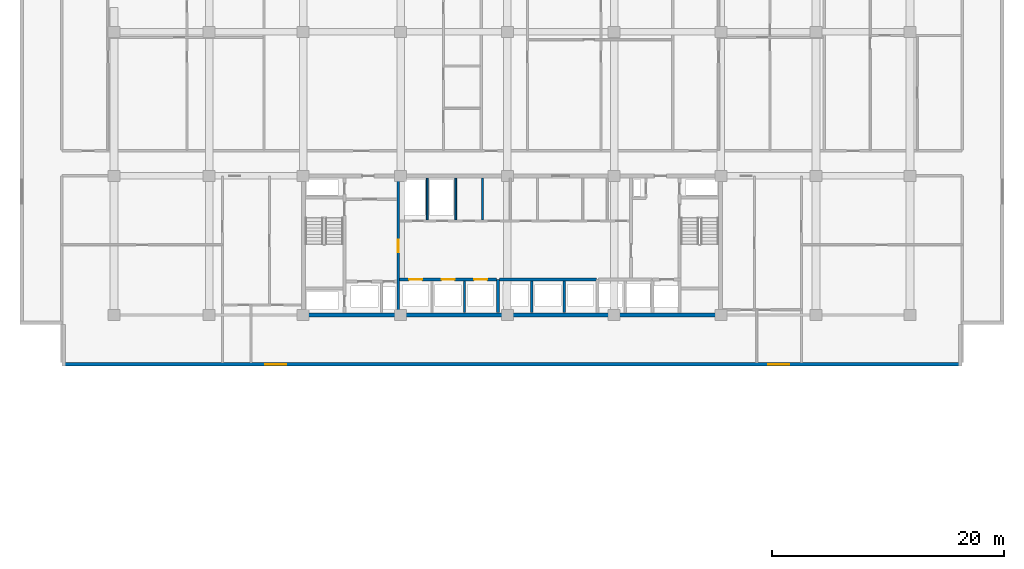
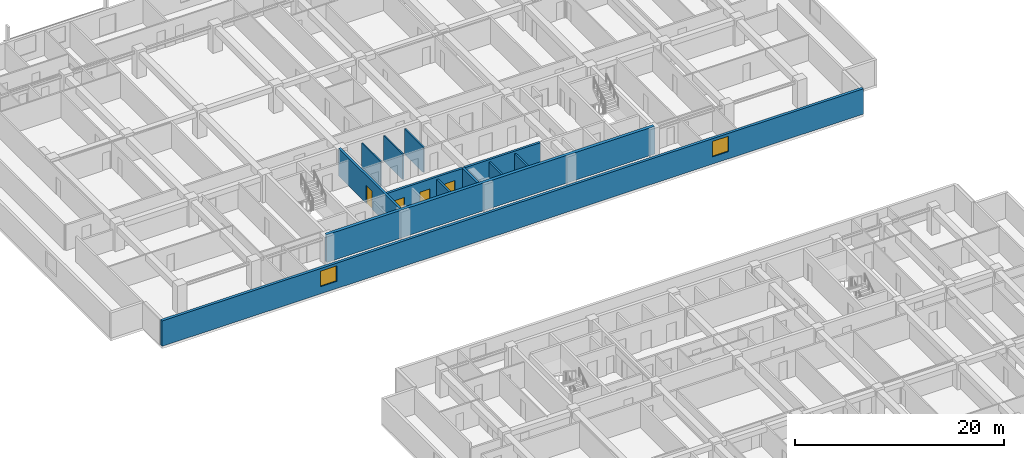
# One storey, part 11 of 23: 12 walls, 4 doors, 2 windows, 6 openings.
"""IFC4 building model written with IfcOpenShell, lengths in metres."""

from ifc_helpers import new_model, si_unit, direction, frame, frame_2d, origin, place, context, subcontext, project, spatial, rectangle, extrude, material, layer, layer_set, type_object, element, fill, save


model = new_model("IFC4")

# Units and contexts
model_context = context("Model", 3, precision=1e-05, world=origin(), true_north=direction((0.0, 1.0)))
body_context = subcontext(model_context, "Body", "Model", "MODEL_VIEW")
ifc_project = project(units=[si_unit("LENGTHUNIT", "METRE"), si_unit("AREAUNIT", "SQUARE_METRE"), si_unit("VOLUMEUNIT", "CUBIC_METRE"), si_unit("PLANEANGLEUNIT", "RADIAN"), si_unit("MASSUNIT", "GRAM", prefix="KILO")], contexts=[model_context])

# Site, building, storey
site_placement = place(None, origin())
site = spatial("IfcSite", under=ifc_project, at=site_placement, CompositionType="ELEMENT")
building_placement = place(site_placement, origin())
building = spatial("IfcBuilding", under=site, at=building_placement, Name="Korimba Cascade Residences", CompositionType="ELEMENT")
storey_placement = place(building_placement, frame((0.0, 0.0, 69.5)))
storey = spatial("IfcBuildingStorey", under=building, at=storey_placement, Name="L19", CompositionType="ELEMENT", Elevation=69.5)

# Wall, openings, windows
ifc_material_1 = material(Name="Precast concrete C40/50", Category="concrete")
ifc_layer_1 = layer(ifc_material_1, 0.300048828125)
ifc_layer_set_1 = layer_set([ifc_layer_1], Name="Precast concrete C40/50")
wall_type_1 = type_object("IfcWallType", Name="EW-STONE-300", PredefinedType="STANDARD", material=ifc_layer_set_1)
wall_1_placement = place(storey_placement, frame((55.300048828125, 50.949951171875, 0.0), z_axis=(0.0, 0.0, 1.0), x_axis=(1.0, 0.0, 0.0)))
wall_1 = element("IfcWall", 1, at=wall_1_placement, inside=storey, type_object=wall_type_1, Name="L19 T1 Perimeter Stone Wall E00", PredefinedType="STANDARD", context=body_context, shape_type="SweptSolid", body=[
    extrude(rectangle(XDim=77.599853515625, YDim=0.300048828125, at=frame_2d((38.7998046875, 0.0))), origin(), (0.0, 0.0, 1.0), 2.969970703125),
])
opening_1_placement = place(wall_1_placement, frame((17.52490234375, 0.0, 0.85009765625)))
opening_1 = element("IfcOpeningElement", 2, at=opening_1_placement, cuts=wall_1, Name="Opening W-02", PredefinedType="OPENING", context=body_context, shape_type="SweptSolid", body=[
    extrude(rectangle(XDim=1.800048828125, YDim=1.800048828125, at=frame_2d((0.89990234375, 0.89990234375))), frame((0.0, 0.16015625, 0.0), z_axis=(0.0, -1.0, 0.0), x_axis=(1.0, 0.0, 0.0)), (0.0, 0.0, 1.0), 0.320068359375),
])
opening_2_placement = place(wall_1_placement, frame((60.875, 0.0, 0.85009765625)))
opening_2 = element("IfcOpeningElement", 3, at=opening_2_placement, cuts=wall_1, Name="Opening W-02", PredefinedType="OPENING", context=body_context, shape_type="SweptSolid", body=[
    extrude(rectangle(XDim=1.800048828125, YDim=1.800048828125, at=frame_2d((0.89990234375, 0.89990234375))), frame((0.0, 0.16015625, 0.0), z_axis=(0.0, -1.0, 0.0), x_axis=(1.0, 0.0, 0.0)), (0.0, 0.0, 1.0), 0.320068359375),
])
ifc_material_2 = material(Name="Double-Glazed Aluminium Window", Category="aluminium")
window_type = type_object("IfcWindowType", Name="WIN-BED-1800", PartitioningType="SINGLE_PANEL", PredefinedType="WINDOW", material=ifc_material_2)
window_1_placement = place(opening_1_placement, origin())
window_1 = element("IfcWindow", 4, at=window_1_placement, inside=storey, type_object=window_type, Name="L19 T1 South Corner Bedroom Window 1", OverallHeight=1.800048828125, OverallWidth=1.800048828125, PartitioningType="SINGLE_PANEL", PredefinedType="WINDOW", context=body_context, shape_type="SweptSolid", body=[
    extrude(rectangle(XDim=1.800048828125, YDim=1.800048828125, at=frame_2d((0.89990234375, 0.89990234375))), frame((0.0, 0.030029296875, 0.0), z_axis=(0.0, -1.0, 0.0), x_axis=(1.0, 0.0, 0.0)), (0.0, 0.0, 1.0), 0.06005859375),
])
fill(opening_1, window_1)
window_2_placement = place(opening_2_placement, origin())
window_2 = element("IfcWindow", 5, at=window_2_placement, inside=storey, type_object=window_type, Name="L19 T1 South Corner Bedroom Window 2", OverallHeight=1.800048828125, OverallWidth=1.800048828125, PartitioningType="SINGLE_PANEL", PredefinedType="WINDOW", context=body_context, shape_type="SweptSolid", body=[
    extrude(rectangle(XDim=1.800048828125, YDim=1.800048828125, at=frame_2d((0.89990234375, 0.89990234375))), frame((0.0, 0.030029296875, 0.0), z_axis=(0.0, -1.0, 0.0), x_axis=(1.0, 0.0, 0.0)), (0.0, 0.0, 1.0), 0.06005859375),
])
fill(opening_2, window_2)

# Walls
ifc_material_3 = material(Name="Concrete C65/80", Category="concrete")
ifc_layer_2 = layer(ifc_material_3, 0.35009765625)
ifc_layer_set_2 = layer_set([ifc_layer_2], Name="Concrete C65/80")
wall_type_2 = type_object("IfcWallType", Name="WAL-CORE-350", PredefinedType="SHEAR", material=ifc_layer_set_2)
wall_2_placement = place(storey_placement, frame((75.949951171875, 55.199951171875, 0.0), z_axis=(0.0, 0.0, 1.0), x_axis=(1.0, 0.0, 0.0)))
element("IfcWall", 6, at=wall_2_placement, inside=storey, type_object=wall_type_2, Name="L19 Core Shear Wall CW-L19-T1-S", PredefinedType="SHEAR", context=body_context, shape_type="SweptSolid", body=[
    extrude(rectangle(XDim=36.300048828125, YDim=0.35009765625, at=frame_2d((18.14990234375, 0.0))), origin(), (0.0, 0.0, 1.0), 3.25),
])
ifc_material_4 = material(Name="Insulated Acoustic Stud Partition", Category="gypsum")
ifc_layer_3 = layer(ifc_material_4, 0.14990234375)
ifc_layer_set_3 = layer_set([ifc_layer_3], Name="Insulated Acoustic Stud Partition")
wall_type_3 = type_object("IfcWallType", Name="WAL-PART-150", PredefinedType="PARTITIONING", material=ifc_layer_set_3)
for number, where, z_axis, x_axis, name in (
    (7, (86.800048828125, 63.39990234375, 0.0), (0.0, 0.0, 1.0), (0.0, 1.0, 0.0), "L19 Partition Wall CW-L19-T1-ERDIV"),
    (8, (89.25, 63.39990234375, 0.0), (0.0, 0.0, 1.0), (0.0, 1.0, 0.0), "L19 Partition Wall CW-L19-T1-PRDIV"),
    (9, (91.550048828125, 63.39990234375, 0.0), (0.0, 0.0, 1.0), (0.0, 1.0, 0.0), "L19 Partition Wall CW-L19-T1-CA1W1"),
):
    element("IfcWall", number, at=place(storey_placement, frame(where, z_axis=z_axis, x_axis=x_axis)), inside=storey, type_object=wall_type_3, Name=name, PredefinedType="PARTITIONING", context=body_context, shape_type="SweptSolid", body=[
        extrude(rectangle(XDim=3.60009765625, YDim=0.14990234375, at=frame_2d((1.800048828125, 0.0))), origin(), (0.0, 0.0, 1.0), 2.969970703125),
    ])
ifc_material_5 = material(Name="Concrete C40/50", Category="concrete")
ifc_layer_4 = layer(ifc_material_5, 0.199951171875)
ifc_layer_set_4 = layer_set([ifc_layer_4], Name="Concrete C40/50")
wall_type_4 = type_object("IfcWallType", Name="WAL-PART-200", PredefinedType="PARTITIONING", material=ifc_layer_set_4)
for number, where, z_axis, x_axis, name in (
    (10, (90.0, 55.39990234375, 0.0), (0.0, 0.0, 1.0), (0.0, 1.0, 0.0), "L19 Partition Wall CW-L19-T1-B1D2"),
    (11, (95.800048828125, 55.39990234375, 0.0), (0.0, 0.0, 1.0), (0.0, 1.0, 0.0), "L19 Partition Wall CW-L19-T1-B2D1"),
    (12, (98.60009765625, 55.39990234375, 0.0), (0.0, 0.0, 1.0), (0.0, 1.0, 0.0), "L19 Partition Wall CW-L19-T1-B2D2"),
):
    element("IfcWall", number, at=place(storey_placement, frame(where, z_axis=z_axis, x_axis=x_axis)), inside=storey, type_object=wall_type_4, Name=name, PredefinedType="PARTITIONING", context=body_context, shape_type="SweptSolid", body=[
        extrude(rectangle(XDim=2.72021484375, YDim=0.199951171875, at=frame_2d((1.360107421875, 0.0))), origin(), (0.0, 0.0, 1.0), 2.969970703125),
    ])

# Wall, opening, door
ifc_material_6 = material(Name="Concrete C50/60", Category="concrete")
ifc_layer_5 = layer(ifc_material_6, 0.25)
ifc_layer_set_5 = layer_set([ifc_layer_5], Name="Concrete C50/60")
wall_type_5 = type_object("IfcWallType", Name="WAL-SHAFT-250", PredefinedType="SHEAR", material=ifc_layer_set_5)
wall_3_placement = place(storey_placement, frame((84.300048828125, 55.39990234375, 0.0), z_axis=(0.0, 0.0, 1.0), x_axis=(0.0, 1.0, 0.0)))
wall_3 = element("IfcWall", 13, at=wall_3_placement, inside=storey, type_object=wall_type_5, Name="L19 Core Shear Wall CW-L19-T1-FFLE", PredefinedType="SHEAR", context=body_context, shape_type="SweptSolid", body=[
    extrude(rectangle(XDim=11.60009765625, YDim=0.25, at=frame_2d((5.800048828125, 0.0))), origin(), (0.0, 0.0, 1.0), 3.25),
])
opening_3_placement = place(wall_3_placement, frame((5.199951171875, 0.0, 0.0)))
opening_3 = element("IfcOpeningElement", 14, at=opening_3_placement, cuts=wall_3, Name="Opening D-FD1", PredefinedType="OPENING", context=body_context, shape_type="SweptSolid", body=[
    extrude(rectangle(XDim=1.10009765625, YDim=2.10009765625, at=frame_2d((0.550048828125, 1.050048828125))), frame((0.0, 0.135009765625, 0.0), z_axis=(0.0, -1.0, 0.0), x_axis=(1.0, 0.0, 0.0)), (0.0, 0.0, 1.0), 0.27001953125),
])
ifc_material_7 = material(Name="Fire-Rated Steel Core Door", Category="steel")
door_type_1 = type_object("IfcDoorType", Name="DR-FD120-1100", OperationType="NOTDEFINED", PredefinedType="DOOR", material=ifc_material_7)
door_1_placement = place(opening_3_placement, origin())
door_1 = element("IfcDoor", 15, at=door_1_placement, inside=storey, type_object=door_type_1, Name="L19 Firefighting Lobby to Lift Lobby Door", OperationType="SINGLE_SWING_RIGHT", OverallHeight=2.10009765625, OverallWidth=1.10009765625, PredefinedType="DOOR", context=body_context, shape_type="SweptSolid", body=[
    extrude(rectangle(XDim=1.10009765625, YDim=2.10009765625, at=frame_2d((0.550048828125, 1.050048828125))), frame((0.0, 0.02490234375, 0.0), z_axis=(0.0, -1.0, 0.0), x_axis=(1.0, 0.0, 0.0)), (0.0, 0.0, 1.0), 0.050048828125),
])
fill(opening_3, door_1)

# Wall, openings, doors
wall_4_placement = place(storey_placement, frame((84.419921875, 58.25, 0.0), z_axis=(0.0, 0.0, 1.0), x_axis=(1.0, 0.0, 0.0)))
wall_4 = element("IfcWall", 16, at=wall_4_placement, inside=storey, type_object=wall_type_5, Name="L19 Core Shear Wall CW-L19-T1-B1N", PredefinedType="SHEAR", context=body_context, shape_type="SweptSolid", body=[
    extrude(rectangle(XDim=8.360107421875, YDim=0.25, at=frame_2d((4.18017578125, 0.0))), origin(), (0.0, 0.0, 1.0), 3.25),
])
opening_4_placement = place(wall_4_placement, frame((0.820068359375, 0.0, 0.0)))
opening_4 = element("IfcOpeningElement", 17, at=opening_4_placement, cuts=wall_4, Name="Opening LD-01", PredefinedType="OPENING", context=body_context, shape_type="SweptSolid", body=[
    extrude(rectangle(XDim=1.1201171875, YDim=2.1201171875, at=frame_2d((0.56005859375, 1.06005859375))), frame((0.0, 0.135009765625, 0.0), z_axis=(0.0, -1.0, 0.0), x_axis=(1.0, 0.0, 0.0)), (0.0, 0.0, 1.0), 0.27001953125),
])
opening_5_placement = place(wall_4_placement, frame((3.6201171875, 0.0, 0.0)))
opening_5 = element("IfcOpeningElement", 18, at=opening_5_placement, cuts=wall_4, Name="Opening LD-01", PredefinedType="OPENING", context=body_context, shape_type="SweptSolid", body=[
    extrude(rectangle(XDim=1.1201171875, YDim=2.1201171875, at=frame_2d((0.56005859375, 1.06005859375))), frame((0.0, 0.135009765625, 0.0), z_axis=(0.0, -1.0, 0.0), x_axis=(1.0, 0.0, 0.0)), (0.0, 0.0, 1.0), 0.27001953125),
])
opening_6_placement = place(wall_4_placement, frame((6.419921875, 0.0, 0.0)))
opening_6 = element("IfcOpeningElement", 19, at=opening_6_placement, cuts=wall_4, Name="Opening LD-01", PredefinedType="OPENING", context=body_context, shape_type="SweptSolid", body=[
    extrude(rectangle(XDim=1.1201171875, YDim=2.1201171875, at=frame_2d((0.56005859375, 1.06005859375))), frame((0.0, 0.135009765625, 0.0), z_axis=(0.0, -1.0, 0.0), x_axis=(1.0, 0.0, 0.0)), (0.0, 0.0, 1.0), 0.27001953125),
])
ifc_material_8 = material(Name="Stainless Steel Lift Landing Sliding Door", Category="steel")
door_type_2 = type_object("IfcDoorType", Name="DR-LIFT-1100", OperationType="NOTDEFINED", PredefinedType="DOOR", material=ifc_material_8)
door_2_placement = place(opening_4_placement, origin())
door_2 = element("IfcDoor", 20, at=door_2_placement, inside=storey, type_object=door_type_2, Name="L19 Lift Landing Door PL-W1", OperationType="SLIDING_TO_LEFT", OverallHeight=2.1201171875, OverallWidth=1.1201171875, PredefinedType="DOOR", context=body_context, shape_type="SweptSolid", body=[
    extrude(rectangle(XDim=1.1201171875, YDim=2.1201171875, at=frame_2d((0.56005859375, 1.06005859375))), frame((0.0, 0.02490234375, 0.0), z_axis=(0.0, -1.0, 0.0), x_axis=(1.0, 0.0, 0.0)), (0.0, 0.0, 1.0), 0.050048828125),
])
fill(opening_4, door_2)
door_3_placement = place(opening_5_placement, origin())
door_3 = element("IfcDoor", 21, at=door_3_placement, inside=storey, type_object=door_type_2, Name="L19 Lift Landing Door PL-W2", OperationType="SLIDING_TO_LEFT", OverallHeight=2.1201171875, OverallWidth=1.1201171875, PredefinedType="DOOR", context=body_context, shape_type="SweptSolid", body=[
    extrude(rectangle(XDim=1.1201171875, YDim=2.1201171875, at=frame_2d((0.56005859375, 1.06005859375))), frame((0.0, 0.02490234375, 0.0), z_axis=(0.0, -1.0, 0.0), x_axis=(1.0, 0.0, 0.0)), (0.0, 0.0, 1.0), 0.050048828125),
])
fill(opening_5, door_3)
door_4_placement = place(opening_6_placement, origin())
door_4 = element("IfcDoor", 22, at=door_4_placement, inside=storey, type_object=door_type_2, Name="L19 Lift Landing Door PL-W3", OperationType="SLIDING_TO_LEFT", OverallHeight=2.1201171875, OverallWidth=1.1201171875, PredefinedType="DOOR", context=body_context, shape_type="SweptSolid", body=[
    extrude(rectangle(XDim=1.1201171875, YDim=2.1201171875, at=frame_2d((0.56005859375, 1.06005859375))), frame((0.0, 0.02490234375, 0.0), z_axis=(0.0, -1.0, 0.0), x_axis=(1.0, 0.0, 0.0)), (0.0, 0.0, 1.0), 0.050048828125),
])
fill(opening_6, door_4)

# Walls
wall_5_placement = place(storey_placement, frame((92.89990234375, 55.39990234375, 0.0), z_axis=(0.0, 0.0, 1.0), x_axis=(0.0, 1.0, 0.0)))
element("IfcWall", 23, at=wall_5_placement, inside=storey, type_object=wall_type_5, Name="L19 Core Shear Wall CW-L19-T1-B12DIV", PredefinedType="SHEAR", context=body_context, shape_type="SweptSolid", body=[
    extrude(rectangle(XDim=2.85009765625, YDim=0.25, at=frame_2d((1.425048828125, 0.0))), origin(), (0.0, 0.0, 1.0), 3.25),
])
wall_6_placement = place(storey_placement, frame((93.02001953125, 58.25, 0.0), z_axis=(0.0, 0.0, 1.0), x_axis=(1.0, 0.0, 0.0)))
element("IfcWall", 24, at=wall_6_placement, inside=storey, type_object=wall_type_5, Name="L19 Core Shear Wall CW-L19-T1-B2N", PredefinedType="SHEAR", context=body_context, shape_type="SweptSolid", body=[
    extrude(rectangle(XDim=8.35986328125, YDim=0.25, at=frame_2d((4.179931640625, 0.0))), origin(), (0.0, 0.0, 1.0), 3.25),
])

save(model, "model.ifc")
